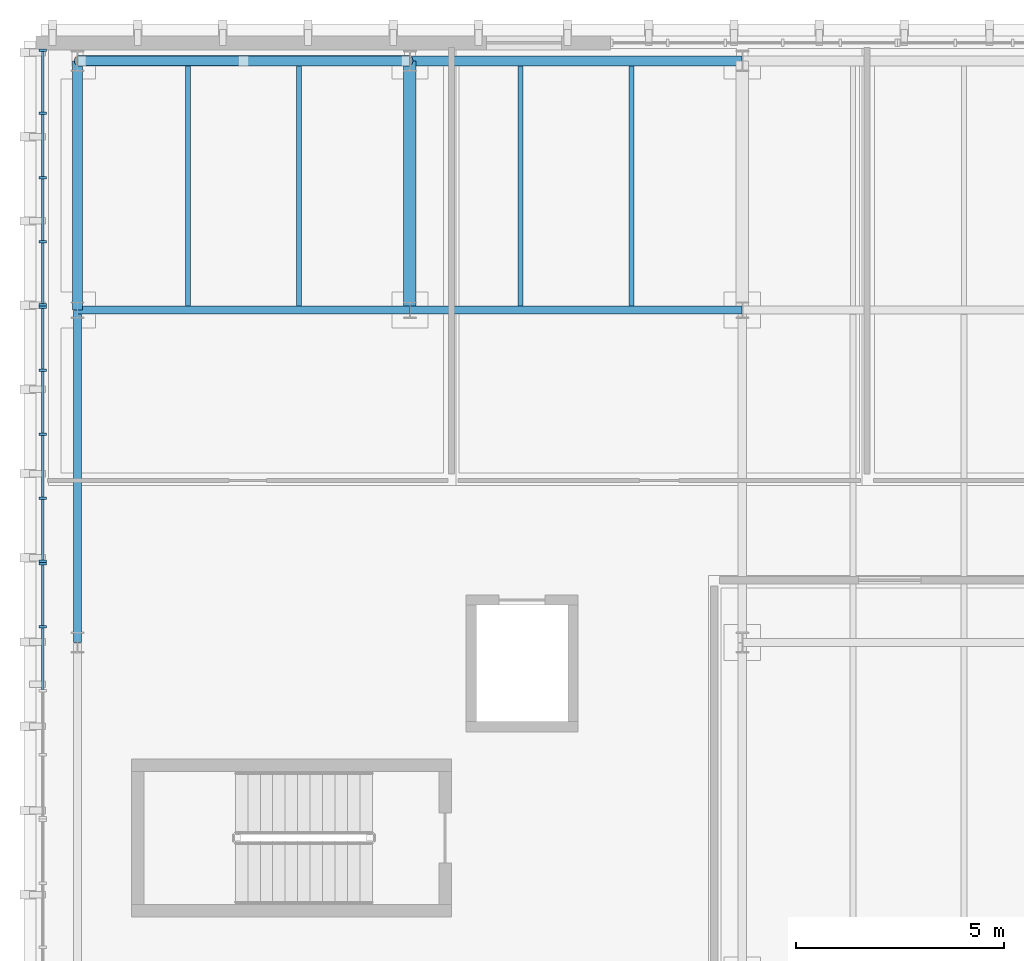
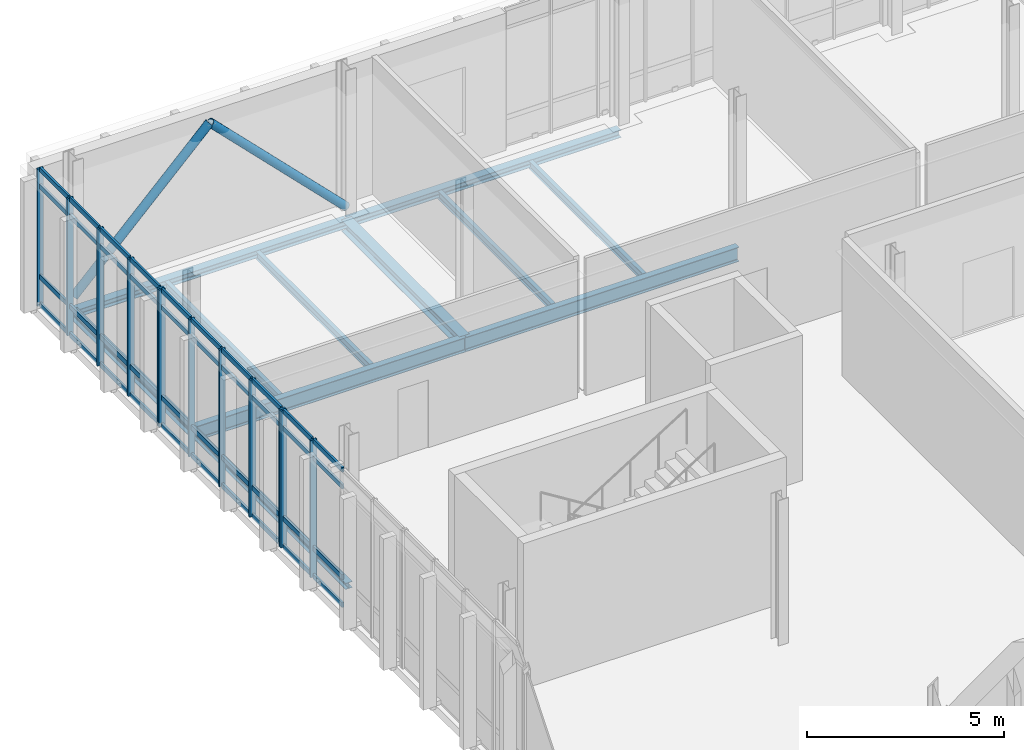
# One storey, part 38 of 100: 54 members, 11 beams, 3 elements without a shape of their own.
"""IFC4 building model written with IfcOpenShell, lengths in metres."""

from ifc_helpers import new_model, si_unit, direction, frame, origin, origin_2d, place, context, subcontext, project, spatial, rectangle, hollow_circle, i_section, extrude, material, material_profile, profile_set, type_object, element, aggregate, save


model = new_model("IFC4")

# Units and contexts
model_context = context("Model", 3, precision=1e-05, world=origin(), true_north=direction((0.0, 1.0)))
body_context = subcontext(model_context, "Body", "Model", "MODEL_VIEW")
ifc_project = project(units=[si_unit("LENGTHUNIT", "METRE"), si_unit("AREAUNIT", "SQUARE_METRE"), si_unit("VOLUMEUNIT", "CUBIC_METRE"), si_unit("PLANEANGLEUNIT", "RADIAN"), si_unit("MASSUNIT", "GRAM", prefix="KILO")], contexts=[model_context])

# Site, building, storey
site_placement = place(None, origin())
site = spatial("IfcSite", under=ifc_project, at=site_placement, CompositionType="ELEMENT")
building_placement = place(site_placement, origin())
building = spatial("IfcBuilding", under=site, at=building_placement, Name="Cymarion Research Institute", CompositionType="ELEMENT")
storey_placement = place(building_placement, frame((0.0, 0.0, 4.800048828125)))
storey = spatial("IfcBuildingStorey", under=building, at=storey_placement, Name="L01", CompositionType="ELEMENT", Elevation=4.800048828125)

# Curtain wall, members
ifc_material_1 = material(Name="Anodised aluminium unitised curtain wall with Low-E glazing", Category="aluminium")
curtain_wall_type = type_object("IfcCurtainWallType", Name="UNITISED CURTAIN WALL CW22 6180X4250", PredefinedType="NOTDEFINED", material=ifc_material_1)
curtain_wall_1_placement = place(storey_placement, origin())
curtain_wall_1 = element("IfcCurtainWall", 1, at=curtain_wall_1_placement, inside=storey, type_object=curtain_wall_type, Name="L01 V5 unitised curtain wall CW22 #51", PredefinedType="NOTDEFINED")
ifc_material_2 = material(Name="Anodised aluminium framing", Category="aluminium")
ifc_material_profile_1 = material_profile(ifc_material_2, rectangle(XDim=0.06005859375, YDim=0.179931640625, at=origin_2d()), Name="ALU MULLION 60x180")
ifc_profile_set_1 = profile_set([ifc_material_profile_1], Name="Anodised aluminium framing")
member_type_1 = type_object("IfcMemberType", Name="CURTAIN WALL MULLION ML01 60X180", PredefinedType="MULLION", material=ifc_profile_set_1)
member_1_placement = place(storey_placement, frame((5.77001953125, 115.748046875, 0.0), z_axis=(0.0, 0.0, 1.0), x_axis=(0.0, -1.0, 0.0)))
member_1 = element("IfcMember", 2, at=member_1_placement, type_object=member_type_1, Name="CW22 mullion 1", PredefinedType="MULLION", context=body_context, shape_type="SweptSolid", body=[
    extrude(rectangle(XDim=0.06005859375, YDim=0.179931640625, at=origin_2d()), origin(), (0.0, 0.0, 1.0), 4.25),
])
member_2_placement = place(storey_placement, frame((5.77001953125, 114.234130859375, 0.0), z_axis=(0.0, 0.0, 1.0), x_axis=(0.0, -1.0, 0.0)))
member_2 = element("IfcMember", 3, at=member_2_placement, type_object=member_type_1, Name="CW22 mullion 2", PredefinedType="MULLION", context=body_context, shape_type="SweptSolid", body=[
    extrude(rectangle(XDim=0.06005859375, YDim=0.179931640625, at=origin_2d()), origin(), (0.0, 0.0, 1.0), 4.25),
])
member_3_placement = place(storey_placement, frame((5.77001953125, 112.690185546875, 0.0), z_axis=(0.0, 0.0, 1.0), x_axis=(0.0, -1.0, 0.0)))
member_3 = element("IfcMember", 4, at=member_3_placement, type_object=member_type_1, Name="CW22 mullion 3", PredefinedType="MULLION", context=body_context, shape_type="SweptSolid", body=[
    extrude(rectangle(XDim=0.06005859375, YDim=0.179931640625, at=origin_2d()), origin(), (0.0, 0.0, 1.0), 4.25),
])
member_4_placement = place(storey_placement, frame((5.77001953125, 111.146240234375, 0.0), z_axis=(0.0, 0.0, 1.0), x_axis=(0.0, -1.0, 0.0)))
member_4 = element("IfcMember", 5, at=member_4_placement, type_object=member_type_1, Name="CW22 mullion 4", PredefinedType="MULLION", context=body_context, shape_type="SweptSolid", body=[
    extrude(rectangle(XDim=0.06005859375, YDim=0.179931640625, at=origin_2d()), origin(), (0.0, 0.0, 1.0), 4.25),
])
member_5_placement = place(storey_placement, frame((5.77001953125, 109.63232421875, 0.0), z_axis=(0.0, 0.0, 1.0), x_axis=(0.0, -1.0, 0.0)))
member_5 = element("IfcMember", 6, at=member_5_placement, type_object=member_type_1, Name="CW22 mullion 5", PredefinedType="MULLION", context=body_context, shape_type="SweptSolid", body=[
    extrude(rectangle(XDim=0.06005859375, YDim=0.179931640625, at=origin_2d()), origin(), (0.0, 0.0, 1.0), 4.25),
])

curtain_wall_2_placement = place(storey_placement, origin())
curtain_wall_2 = element("IfcCurtainWall", 7, at=curtain_wall_2_placement, inside=storey, type_object=curtain_wall_type, Name="L01 V5 unitised curtain wall CW22 #52", PredefinedType="NOTDEFINED")
member_6_placement = place(storey_placement, frame((5.77001953125, 109.572509765625, 0.0), z_axis=(0.0, 0.0, 1.0), x_axis=(0.0, -1.0, 0.0)))
member_6 = element("IfcMember", 8, at=member_6_placement, type_object=member_type_1, Name="CW22 mullion 1", PredefinedType="MULLION", context=body_context, shape_type="SweptSolid", body=[
    extrude(rectangle(XDim=0.06005859375, YDim=0.179931640625, at=origin_2d()), origin(), (0.0, 0.0, 1.0), 4.25),
])
member_7_placement = place(storey_placement, frame((5.77001953125, 108.05859375, 0.0), z_axis=(0.0, 0.0, 1.0), x_axis=(0.0, -1.0, 0.0)))
member_7 = element("IfcMember", 9, at=member_7_placement, type_object=member_type_1, Name="CW22 mullion 2", PredefinedType="MULLION", context=body_context, shape_type="SweptSolid", body=[
    extrude(rectangle(XDim=0.06005859375, YDim=0.179931640625, at=origin_2d()), origin(), (0.0, 0.0, 1.0), 4.25),
])
member_8_placement = place(storey_placement, frame((5.77001953125, 106.5146484375, 0.0), z_axis=(0.0, 0.0, 1.0), x_axis=(0.0, -1.0, 0.0)))
member_8 = element("IfcMember", 10, at=member_8_placement, type_object=member_type_1, Name="CW22 mullion 3", PredefinedType="MULLION", context=body_context, shape_type="SweptSolid", body=[
    extrude(rectangle(XDim=0.06005859375, YDim=0.179931640625, at=origin_2d()), origin(), (0.0, 0.0, 1.0), 4.25),
])
member_9_placement = place(storey_placement, frame((5.77001953125, 104.970703125, 0.0), z_axis=(0.0, 0.0, 1.0), x_axis=(0.0, -1.0, 0.0)))
member_9 = element("IfcMember", 11, at=member_9_placement, type_object=member_type_1, Name="CW22 mullion 4", PredefinedType="MULLION", context=body_context, shape_type="SweptSolid", body=[
    extrude(rectangle(XDim=0.06005859375, YDim=0.179931640625, at=origin_2d()), origin(), (0.0, 0.0, 1.0), 4.25),
])
member_10_placement = place(storey_placement, frame((5.77001953125, 103.456787109375, 0.0), z_axis=(0.0, 0.0, 1.0), x_axis=(0.0, -1.0, 0.0)))
member_10 = element("IfcMember", 12, at=member_10_placement, type_object=member_type_1, Name="CW22 mullion 5", PredefinedType="MULLION", context=body_context, shape_type="SweptSolid", body=[
    extrude(rectangle(XDim=0.06005859375, YDim=0.179931640625, at=origin_2d()), origin(), (0.0, 0.0, 1.0), 4.25),
])

curtain_wall_3_placement = place(storey_placement, origin())
curtain_wall_3 = element("IfcCurtainWall", 13, at=curtain_wall_3_placement, inside=storey, type_object=curtain_wall_type, Name="L01 V5 unitised curtain wall CW22 #53", PredefinedType="NOTDEFINED")
member_11_placement = place(storey_placement, frame((5.77001953125, 103.396728515625, 0.0), z_axis=(0.0, 0.0, 1.0), x_axis=(0.0, -1.0, 0.0)))
member_11 = element("IfcMember", 14, at=member_11_placement, type_object=member_type_1, Name="CW22 mullion 1", PredefinedType="MULLION", context=body_context, shape_type="SweptSolid", body=[
    extrude(rectangle(XDim=0.06005859375, YDim=0.179931640625, at=origin_2d()), origin(), (0.0, 0.0, 1.0), 4.25),
])
member_12_placement = place(storey_placement, frame((5.77001953125, 101.8828125, 0.0), z_axis=(0.0, 0.0, 1.0), x_axis=(0.0, -1.0, 0.0)))
member_12 = element("IfcMember", 15, at=member_12_placement, type_object=member_type_1, Name="CW22 mullion 2", PredefinedType="MULLION", context=body_context, shape_type="SweptSolid", body=[
    extrude(rectangle(XDim=0.06005859375, YDim=0.179931640625, at=origin_2d()), origin(), (0.0, 0.0, 1.0), 4.25),
])

# Member
ifc_material_profile_2 = material_profile(ifc_material_2, rectangle(XDim=0.06005859375, YDim=0.14990234375, at=origin_2d()), Name="ALU TRANSOM 60x150")
ifc_profile_set_2 = profile_set([ifc_material_profile_2], Name="Anodised aluminium framing")
member_type_2 = type_object("IfcMemberType", Name="CURTAIN WALL TRANSOM TR01 60X150", PredefinedType="USERDEFINED", material=ifc_profile_set_2)
member_13_placement = place(storey_placement, frame((5.77001953125, 115.718017578125, 0.030029296875), z_axis=(0.0, -1.0, 0.0), x_axis=(1.0, 0.0, 0.0)))
member_13 = element("IfcMember", 16, at=member_13_placement, type_object=member_type_2, Name="CW22 transom 1.1", ObjectType="TRANSOM", PredefinedType="USERDEFINED", context=body_context, shape_type="SweptSolid", body=[
    extrude(rectangle(XDim=0.06005859375, YDim=0.14990234375, at=origin_2d()), origin(), (0.0, 0.0, 1.0), 1.453857421875),
])

member_14_placement = place(storey_placement, frame((5.77001953125, 115.718017578125, 0.89990234375), z_axis=(0.0, -1.0, 0.0), x_axis=(1.0, 0.0, 0.0)))
member_14 = element("IfcMember", 17, at=member_14_placement, type_object=member_type_2, Name="CW22 transom 1.2", ObjectType="TRANSOM", PredefinedType="USERDEFINED", context=body_context, shape_type="SweptSolid", body=[
    extrude(rectangle(XDim=0.06005859375, YDim=0.14990234375, at=origin_2d()), origin(), (0.0, 0.0, 1.0), 1.453857421875),
])

member_15_placement = place(storey_placement, frame((5.77001953125, 115.718017578125, 3.699951171875), z_axis=(0.0, -1.0, 0.0), x_axis=(1.0, 0.0, 0.0)))
member_15 = element("IfcMember", 18, at=member_15_placement, type_object=member_type_2, Name="CW22 transom 1.3", ObjectType="TRANSOM", PredefinedType="USERDEFINED", context=body_context, shape_type="SweptSolid", body=[
    extrude(rectangle(XDim=0.06005859375, YDim=0.14990234375, at=origin_2d()), origin(), (0.0, 0.0, 1.0), 1.453857421875),
])

member_16_placement = place(storey_placement, frame((5.77001953125, 115.718017578125, 4.219970703125), z_axis=(0.0, -1.0, 0.0), x_axis=(1.0, 0.0, 0.0)))
member_16 = element("IfcMember", 19, at=member_16_placement, type_object=member_type_2, Name="CW22 transom 1.4", ObjectType="TRANSOM", PredefinedType="USERDEFINED", context=body_context, shape_type="SweptSolid", body=[
    extrude(rectangle(XDim=0.06005859375, YDim=0.14990234375, at=origin_2d()), origin(), (0.0, 0.0, 1.0), 1.453857421875),
])

member_17_placement = place(storey_placement, frame((5.77001953125, 114.2041015625, 0.030029296875), z_axis=(0.0, -1.0, 0.0), x_axis=(1.0, 0.0, 0.0)))
member_17 = element("IfcMember", 20, at=member_17_placement, type_object=member_type_2, Name="CW22 transom 2.1", ObjectType="TRANSOM", PredefinedType="USERDEFINED", context=body_context, shape_type="SweptSolid", body=[
    extrude(rectangle(XDim=0.06005859375, YDim=0.14990234375, at=origin_2d()), origin(), (0.0, 0.0, 1.0), 1.48388671875),
])

member_18_placement = place(storey_placement, frame((5.77001953125, 114.2041015625, 0.89990234375), z_axis=(0.0, -1.0, 0.0), x_axis=(1.0, 0.0, 0.0)))
member_18 = element("IfcMember", 21, at=member_18_placement, type_object=member_type_2, Name="CW22 transom 2.2", ObjectType="TRANSOM", PredefinedType="USERDEFINED", context=body_context, shape_type="SweptSolid", body=[
    extrude(rectangle(XDim=0.06005859375, YDim=0.14990234375, at=origin_2d()), origin(), (0.0, 0.0, 1.0), 1.48388671875),
])

member_19_placement = place(storey_placement, frame((5.77001953125, 114.2041015625, 3.699951171875), z_axis=(0.0, -1.0, 0.0), x_axis=(1.0, 0.0, 0.0)))
member_19 = element("IfcMember", 22, at=member_19_placement, type_object=member_type_2, Name="CW22 transom 2.3", ObjectType="TRANSOM", PredefinedType="USERDEFINED", context=body_context, shape_type="SweptSolid", body=[
    extrude(rectangle(XDim=0.06005859375, YDim=0.14990234375, at=origin_2d()), origin(), (0.0, 0.0, 1.0), 1.48388671875),
])

member_20_placement = place(storey_placement, frame((5.77001953125, 114.2041015625, 4.219970703125), z_axis=(0.0, -1.0, 0.0), x_axis=(1.0, 0.0, 0.0)))
member_20 = element("IfcMember", 23, at=member_20_placement, type_object=member_type_2, Name="CW22 transom 2.4", ObjectType="TRANSOM", PredefinedType="USERDEFINED", context=body_context, shape_type="SweptSolid", body=[
    extrude(rectangle(XDim=0.06005859375, YDim=0.14990234375, at=origin_2d()), origin(), (0.0, 0.0, 1.0), 1.48388671875),
])

member_21_placement = place(storey_placement, frame((5.77001953125, 112.66015625, 0.030029296875), z_axis=(0.0, -1.0, 0.0), x_axis=(1.0, 0.0, 0.0)))
member_21 = element("IfcMember", 24, at=member_21_placement, type_object=member_type_2, Name="CW22 transom 3.1", ObjectType="TRANSOM", PredefinedType="USERDEFINED", context=body_context, shape_type="SweptSolid", body=[
    extrude(rectangle(XDim=0.06005859375, YDim=0.14990234375, at=origin_2d()), origin(), (0.0, 0.0, 1.0), 1.48388671875),
])

member_22_placement = place(storey_placement, frame((5.77001953125, 112.66015625, 0.89990234375), z_axis=(0.0, -1.0, 0.0), x_axis=(1.0, 0.0, 0.0)))
member_22 = element("IfcMember", 25, at=member_22_placement, type_object=member_type_2, Name="CW22 transom 3.2", ObjectType="TRANSOM", PredefinedType="USERDEFINED", context=body_context, shape_type="SweptSolid", body=[
    extrude(rectangle(XDim=0.06005859375, YDim=0.14990234375, at=origin_2d()), origin(), (0.0, 0.0, 1.0), 1.48388671875),
])

member_23_placement = place(storey_placement, frame((5.77001953125, 112.66015625, 3.699951171875), z_axis=(0.0, -1.0, 0.0), x_axis=(1.0, 0.0, 0.0)))
member_23 = element("IfcMember", 26, at=member_23_placement, type_object=member_type_2, Name="CW22 transom 3.3", ObjectType="TRANSOM", PredefinedType="USERDEFINED", context=body_context, shape_type="SweptSolid", body=[
    extrude(rectangle(XDim=0.06005859375, YDim=0.14990234375, at=origin_2d()), origin(), (0.0, 0.0, 1.0), 1.48388671875),
])

member_24_placement = place(storey_placement, frame((5.77001953125, 112.66015625, 4.219970703125), z_axis=(0.0, -1.0, 0.0), x_axis=(1.0, 0.0, 0.0)))
member_24 = element("IfcMember", 27, at=member_24_placement, type_object=member_type_2, Name="CW22 transom 3.4", ObjectType="TRANSOM", PredefinedType="USERDEFINED", context=body_context, shape_type="SweptSolid", body=[
    extrude(rectangle(XDim=0.06005859375, YDim=0.14990234375, at=origin_2d()), origin(), (0.0, 0.0, 1.0), 1.48388671875),
])

member_25_placement = place(storey_placement, frame((5.77001953125, 111.1162109375, 0.030029296875), z_axis=(0.0, -1.0, 0.0), x_axis=(1.0, 0.0, 0.0)))
member_25 = element("IfcMember", 28, at=member_25_placement, type_object=member_type_2, Name="CW22 transom 4.1", ObjectType="TRANSOM", PredefinedType="USERDEFINED", context=body_context, shape_type="SweptSolid", body=[
    extrude(rectangle(XDim=0.06005859375, YDim=0.14990234375, at=origin_2d()), origin(), (0.0, 0.0, 1.0), 1.453857421875),
])

member_26_placement = place(storey_placement, frame((5.77001953125, 111.1162109375, 0.89990234375), z_axis=(0.0, -1.0, 0.0), x_axis=(1.0, 0.0, 0.0)))
member_26 = element("IfcMember", 29, at=member_26_placement, type_object=member_type_2, Name="CW22 transom 4.2", ObjectType="TRANSOM", PredefinedType="USERDEFINED", context=body_context, shape_type="SweptSolid", body=[
    extrude(rectangle(XDim=0.06005859375, YDim=0.14990234375, at=origin_2d()), origin(), (0.0, 0.0, 1.0), 1.453857421875),
])

member_27_placement = place(storey_placement, frame((5.77001953125, 111.1162109375, 3.699951171875), z_axis=(0.0, -1.0, 0.0), x_axis=(1.0, 0.0, 0.0)))
member_27 = element("IfcMember", 30, at=member_27_placement, type_object=member_type_2, Name="CW22 transom 4.3", ObjectType="TRANSOM", PredefinedType="USERDEFINED", context=body_context, shape_type="SweptSolid", body=[
    extrude(rectangle(XDim=0.06005859375, YDim=0.14990234375, at=origin_2d()), origin(), (0.0, 0.0, 1.0), 1.453857421875),
])

member_28_placement = place(storey_placement, frame((5.77001953125, 111.1162109375, 4.219970703125), z_axis=(0.0, -1.0, 0.0), x_axis=(1.0, 0.0, 0.0)))
member_28 = element("IfcMember", 31, at=member_28_placement, type_object=member_type_2, Name="CW22 transom 4.4", ObjectType="TRANSOM", PredefinedType="USERDEFINED", context=body_context, shape_type="SweptSolid", body=[
    extrude(rectangle(XDim=0.06005859375, YDim=0.14990234375, at=origin_2d()), origin(), (0.0, 0.0, 1.0), 1.453857421875),
])

aggregate(curtain_wall_1, [member_1, member_2, member_3, member_4, member_5, member_13, member_14, member_15, member_16, member_17, member_18, member_19, member_20, member_21, member_22, member_23, member_24, member_25, member_26, member_27, member_28])

member_29_placement = place(storey_placement, frame((5.77001953125, 109.54248046875, 0.030029296875), z_axis=(0.0, -1.0, 0.0), x_axis=(1.0, 0.0, 0.0)))
member_29 = element("IfcMember", 32, at=member_29_placement, type_object=member_type_2, Name="CW22 transom 1.1", ObjectType="TRANSOM", PredefinedType="USERDEFINED", context=body_context, shape_type="SweptSolid", body=[
    extrude(rectangle(XDim=0.06005859375, YDim=0.14990234375, at=origin_2d()), origin(), (0.0, 0.0, 1.0), 1.4541015625),
])

member_30_placement = place(storey_placement, frame((5.77001953125, 109.54248046875, 0.89990234375), z_axis=(0.0, -1.0, 0.0), x_axis=(1.0, 0.0, 0.0)))
member_30 = element("IfcMember", 33, at=member_30_placement, type_object=member_type_2, Name="CW22 transom 1.2", ObjectType="TRANSOM", PredefinedType="USERDEFINED", context=body_context, shape_type="SweptSolid", body=[
    extrude(rectangle(XDim=0.06005859375, YDim=0.14990234375, at=origin_2d()), origin(), (0.0, 0.0, 1.0), 1.4541015625),
])

member_31_placement = place(storey_placement, frame((5.77001953125, 109.54248046875, 3.699951171875), z_axis=(0.0, -1.0, 0.0), x_axis=(1.0, 0.0, 0.0)))
member_31 = element("IfcMember", 34, at=member_31_placement, type_object=member_type_2, Name="CW22 transom 1.3", ObjectType="TRANSOM", PredefinedType="USERDEFINED", context=body_context, shape_type="SweptSolid", body=[
    extrude(rectangle(XDim=0.06005859375, YDim=0.14990234375, at=origin_2d()), origin(), (0.0, 0.0, 1.0), 1.4541015625),
])

member_32_placement = place(storey_placement, frame((5.77001953125, 109.54248046875, 4.219970703125), z_axis=(0.0, -1.0, 0.0), x_axis=(1.0, 0.0, 0.0)))
member_32 = element("IfcMember", 35, at=member_32_placement, type_object=member_type_2, Name="CW22 transom 1.4", ObjectType="TRANSOM", PredefinedType="USERDEFINED", context=body_context, shape_type="SweptSolid", body=[
    extrude(rectangle(XDim=0.06005859375, YDim=0.14990234375, at=origin_2d()), origin(), (0.0, 0.0, 1.0), 1.4541015625),
])

member_33_placement = place(storey_placement, frame((5.77001953125, 108.028564453125, 0.030029296875), z_axis=(0.0, -1.0, 0.0), x_axis=(1.0, 0.0, 0.0)))
member_33 = element("IfcMember", 36, at=member_33_placement, type_object=member_type_2, Name="CW22 transom 2.1", ObjectType="TRANSOM", PredefinedType="USERDEFINED", context=body_context, shape_type="SweptSolid", body=[
    extrude(rectangle(XDim=0.06005859375, YDim=0.14990234375, at=origin_2d()), origin(), (0.0, 0.0, 1.0), 1.48388671875),
])

member_34_placement = place(storey_placement, frame((5.77001953125, 108.028564453125, 0.89990234375), z_axis=(0.0, -1.0, 0.0), x_axis=(1.0, 0.0, 0.0)))
member_34 = element("IfcMember", 37, at=member_34_placement, type_object=member_type_2, Name="CW22 transom 2.2", ObjectType="TRANSOM", PredefinedType="USERDEFINED", context=body_context, shape_type="SweptSolid", body=[
    extrude(rectangle(XDim=0.06005859375, YDim=0.14990234375, at=origin_2d()), origin(), (0.0, 0.0, 1.0), 1.48388671875),
])

member_35_placement = place(storey_placement, frame((5.77001953125, 108.028564453125, 3.699951171875), z_axis=(0.0, -1.0, 0.0), x_axis=(1.0, 0.0, 0.0)))
member_35 = element("IfcMember", 38, at=member_35_placement, type_object=member_type_2, Name="CW22 transom 2.3", ObjectType="TRANSOM", PredefinedType="USERDEFINED", context=body_context, shape_type="SweptSolid", body=[
    extrude(rectangle(XDim=0.06005859375, YDim=0.14990234375, at=origin_2d()), origin(), (0.0, 0.0, 1.0), 1.48388671875),
])

member_36_placement = place(storey_placement, frame((5.77001953125, 108.028564453125, 4.219970703125), z_axis=(0.0, -1.0, 0.0), x_axis=(1.0, 0.0, 0.0)))
member_36 = element("IfcMember", 39, at=member_36_placement, type_object=member_type_2, Name="CW22 transom 2.4", ObjectType="TRANSOM", PredefinedType="USERDEFINED", context=body_context, shape_type="SweptSolid", body=[
    extrude(rectangle(XDim=0.06005859375, YDim=0.14990234375, at=origin_2d()), origin(), (0.0, 0.0, 1.0), 1.48388671875),
])

member_37_placement = place(storey_placement, frame((5.77001953125, 106.484619140625, 0.030029296875), z_axis=(0.0, -1.0, 0.0), x_axis=(1.0, 0.0, 0.0)))
member_37 = element("IfcMember", 40, at=member_37_placement, type_object=member_type_2, Name="CW22 transom 3.1", ObjectType="TRANSOM", PredefinedType="USERDEFINED", context=body_context, shape_type="SweptSolid", body=[
    extrude(rectangle(XDim=0.06005859375, YDim=0.14990234375, at=origin_2d()), origin(), (0.0, 0.0, 1.0), 1.48388671875),
])

member_38_placement = place(storey_placement, frame((5.77001953125, 106.484619140625, 0.89990234375), z_axis=(0.0, -1.0, 0.0), x_axis=(1.0, 0.0, 0.0)))
member_38 = element("IfcMember", 41, at=member_38_placement, type_object=member_type_2, Name="CW22 transom 3.2", ObjectType="TRANSOM", PredefinedType="USERDEFINED", context=body_context, shape_type="SweptSolid", body=[
    extrude(rectangle(XDim=0.06005859375, YDim=0.14990234375, at=origin_2d()), origin(), (0.0, 0.0, 1.0), 1.48388671875),
])

member_39_placement = place(storey_placement, frame((5.77001953125, 106.484619140625, 3.699951171875), z_axis=(0.0, -1.0, 0.0), x_axis=(1.0, 0.0, 0.0)))
member_39 = element("IfcMember", 42, at=member_39_placement, type_object=member_type_2, Name="CW22 transom 3.3", ObjectType="TRANSOM", PredefinedType="USERDEFINED", context=body_context, shape_type="SweptSolid", body=[
    extrude(rectangle(XDim=0.06005859375, YDim=0.14990234375, at=origin_2d()), origin(), (0.0, 0.0, 1.0), 1.48388671875),
])

member_40_placement = place(storey_placement, frame((5.77001953125, 106.484619140625, 4.219970703125), z_axis=(0.0, -1.0, 0.0), x_axis=(1.0, 0.0, 0.0)))
member_40 = element("IfcMember", 43, at=member_40_placement, type_object=member_type_2, Name="CW22 transom 3.4", ObjectType="TRANSOM", PredefinedType="USERDEFINED", context=body_context, shape_type="SweptSolid", body=[
    extrude(rectangle(XDim=0.06005859375, YDim=0.14990234375, at=origin_2d()), origin(), (0.0, 0.0, 1.0), 1.48388671875),
])

member_41_placement = place(storey_placement, frame((5.77001953125, 104.940673828125, 0.030029296875), z_axis=(0.0, -1.0, 0.0), x_axis=(1.0, 0.0, 0.0)))
member_41 = element("IfcMember", 44, at=member_41_placement, type_object=member_type_2, Name="CW22 transom 4.1", ObjectType="TRANSOM", PredefinedType="USERDEFINED", context=body_context, shape_type="SweptSolid", body=[
    extrude(rectangle(XDim=0.06005859375, YDim=0.14990234375, at=origin_2d()), origin(), (0.0, 0.0, 1.0), 1.453857421875),
])

member_42_placement = place(storey_placement, frame((5.77001953125, 104.940673828125, 0.89990234375), z_axis=(0.0, -1.0, 0.0), x_axis=(1.0, 0.0, 0.0)))
member_42 = element("IfcMember", 45, at=member_42_placement, type_object=member_type_2, Name="CW22 transom 4.2", ObjectType="TRANSOM", PredefinedType="USERDEFINED", context=body_context, shape_type="SweptSolid", body=[
    extrude(rectangle(XDim=0.06005859375, YDim=0.14990234375, at=origin_2d()), origin(), (0.0, 0.0, 1.0), 1.453857421875),
])

member_43_placement = place(storey_placement, frame((5.77001953125, 104.940673828125, 3.699951171875), z_axis=(0.0, -1.0, 0.0), x_axis=(1.0, 0.0, 0.0)))
member_43 = element("IfcMember", 46, at=member_43_placement, type_object=member_type_2, Name="CW22 transom 4.3", ObjectType="TRANSOM", PredefinedType="USERDEFINED", context=body_context, shape_type="SweptSolid", body=[
    extrude(rectangle(XDim=0.06005859375, YDim=0.14990234375, at=origin_2d()), origin(), (0.0, 0.0, 1.0), 1.453857421875),
])

member_44_placement = place(storey_placement, frame((5.77001953125, 104.940673828125, 4.219970703125), z_axis=(0.0, -1.0, 0.0), x_axis=(1.0, 0.0, 0.0)))
member_44 = element("IfcMember", 47, at=member_44_placement, type_object=member_type_2, Name="CW22 transom 4.4", ObjectType="TRANSOM", PredefinedType="USERDEFINED", context=body_context, shape_type="SweptSolid", body=[
    extrude(rectangle(XDim=0.06005859375, YDim=0.14990234375, at=origin_2d()), origin(), (0.0, 0.0, 1.0), 1.453857421875),
])

aggregate(curtain_wall_2, [member_6, member_7, member_8, member_9, member_10, member_29, member_30, member_31, member_32, member_33, member_34, member_35, member_36, member_37, member_38, member_39, member_40, member_41, member_42, member_43, member_44])

member_45_placement = place(storey_placement, frame((5.77001953125, 103.36669921875, 0.030029296875), z_axis=(0.0, -1.0, 0.0), x_axis=(1.0, 0.0, 0.0)))
member_45 = element("IfcMember", 48, at=member_45_placement, type_object=member_type_2, Name="CW22 transom 1.1", ObjectType="TRANSOM", PredefinedType="USERDEFINED", context=body_context, shape_type="SweptSolid", body=[
    extrude(rectangle(XDim=0.06005859375, YDim=0.14990234375, at=origin_2d()), origin(), (0.0, 0.0, 1.0), 1.453857421875),
])

member_46_placement = place(storey_placement, frame((5.77001953125, 103.36669921875, 0.89990234375), z_axis=(0.0, -1.0, 0.0), x_axis=(1.0, 0.0, 0.0)))
member_46 = element("IfcMember", 49, at=member_46_placement, type_object=member_type_2, Name="CW22 transom 1.2", ObjectType="TRANSOM", PredefinedType="USERDEFINED", context=body_context, shape_type="SweptSolid", body=[
    extrude(rectangle(XDim=0.06005859375, YDim=0.14990234375, at=origin_2d()), origin(), (0.0, 0.0, 1.0), 1.453857421875),
])

member_47_placement = place(storey_placement, frame((5.77001953125, 103.36669921875, 3.699951171875), z_axis=(0.0, -1.0, 0.0), x_axis=(1.0, 0.0, 0.0)))
member_47 = element("IfcMember", 50, at=member_47_placement, type_object=member_type_2, Name="CW22 transom 1.3", ObjectType="TRANSOM", PredefinedType="USERDEFINED", context=body_context, shape_type="SweptSolid", body=[
    extrude(rectangle(XDim=0.06005859375, YDim=0.14990234375, at=origin_2d()), origin(), (0.0, 0.0, 1.0), 1.453857421875),
])

member_48_placement = place(storey_placement, frame((5.77001953125, 103.36669921875, 4.219970703125), z_axis=(0.0, -1.0, 0.0), x_axis=(1.0, 0.0, 0.0)))
member_48 = element("IfcMember", 51, at=member_48_placement, type_object=member_type_2, Name="CW22 transom 1.4", ObjectType="TRANSOM", PredefinedType="USERDEFINED", context=body_context, shape_type="SweptSolid", body=[
    extrude(rectangle(XDim=0.06005859375, YDim=0.14990234375, at=origin_2d()), origin(), (0.0, 0.0, 1.0), 1.453857421875),
])

member_49_placement = place(storey_placement, frame((5.77001953125, 101.852783203125, 0.030029296875), z_axis=(0.0, -1.0, 0.0), x_axis=(1.0, 0.0, 0.0)))
member_49 = element("IfcMember", 52, at=member_49_placement, type_object=member_type_2, Name="CW22 transom 2.1", ObjectType="TRANSOM", PredefinedType="USERDEFINED", context=body_context, shape_type="SweptSolid", body=[
    extrude(rectangle(XDim=0.06005859375, YDim=0.14990234375, at=origin_2d()), origin(), (0.0, 0.0, 1.0), 1.48388671875),
])

member_50_placement = place(storey_placement, frame((5.77001953125, 101.852783203125, 0.89990234375), z_axis=(0.0, -1.0, 0.0), x_axis=(1.0, 0.0, 0.0)))
member_50 = element("IfcMember", 53, at=member_50_placement, type_object=member_type_2, Name="CW22 transom 2.2", ObjectType="TRANSOM", PredefinedType="USERDEFINED", context=body_context, shape_type="SweptSolid", body=[
    extrude(rectangle(XDim=0.06005859375, YDim=0.14990234375, at=origin_2d()), origin(), (0.0, 0.0, 1.0), 1.48388671875),
])

member_51_placement = place(storey_placement, frame((5.77001953125, 101.852783203125, 3.699951171875), z_axis=(0.0, -1.0, 0.0), x_axis=(1.0, 0.0, 0.0)))
member_51 = element("IfcMember", 54, at=member_51_placement, type_object=member_type_2, Name="CW22 transom 2.3", ObjectType="TRANSOM", PredefinedType="USERDEFINED", context=body_context, shape_type="SweptSolid", body=[
    extrude(rectangle(XDim=0.06005859375, YDim=0.14990234375, at=origin_2d()), origin(), (0.0, 0.0, 1.0), 1.48388671875),
])

member_52_placement = place(storey_placement, frame((5.77001953125, 101.852783203125, 4.219970703125), z_axis=(0.0, -1.0, 0.0), x_axis=(1.0, 0.0, 0.0)))
member_52 = element("IfcMember", 55, at=member_52_placement, type_object=member_type_2, Name="CW22 transom 2.4", ObjectType="TRANSOM", PredefinedType="USERDEFINED", context=body_context, shape_type="SweptSolid", body=[
    extrude(rectangle(XDim=0.06005859375, YDim=0.14990234375, at=origin_2d()), origin(), (0.0, 0.0, 1.0), 1.48388671875),
])

aggregate(curtain_wall_3, [member_11, member_12, member_45, member_46, member_47, member_48, member_49, member_50, member_51, member_52])

# Beams
ifc_material_3 = material(Name="Steel S355", Category="steel")
ifc_material_profile_3 = material_profile(ifc_material_3, i_section(OverallWidth=0.18994140625, OverallDepth=0.449951171875, WebThickness=0.009521484375, FlangeThickness=0.0146484375, FilletRadius=0.02099609375, at=origin_2d()), Name="IPE 450")
ifc_profile_set_3 = profile_set([ifc_material_profile_3], Name="Steel S355")
beam_type_1 = type_object("IfcBeamType", Name="PRIMARY GIRDER BM04 IPE 450", PredefinedType="BEAM", material=ifc_profile_set_3)
for number, where, z_axis, x_axis, name in (
    (56, (6.60595703125, 109.5, -0.47509765625), (1.0, 0.0, 0.0), (0.0, 1.0, 0.0), "L01 V5 girder BM04 #705"),
    (57, (14.60595703125, 109.5, -0.47509765625), (1.0, 0.0, 0.0), (0.0, 1.0, 0.0), "L01 V5 girder BM04 #706"),
):
    element("IfcBeam", number, at=place(storey_placement, frame(where, z_axis=z_axis, x_axis=x_axis)), inside=storey, type_object=beam_type_1, Name=name, PredefinedType="BEAM", context=body_context, shape_type="SweptSolid", body=[
        extrude(i_section(OverallWidth=0.18994140625, OverallDepth=0.449951171875, WebThickness=0.009521484375, FlangeThickness=0.0146484375, FilletRadius=0.02099609375, at=origin_2d()), origin(), (0.0, 0.0, 1.0), 7.988037109375),
    ])
ifc_material_profile_4 = material_profile(ifc_material_3, i_section(OverallWidth=0.300048828125, OverallDepth=0.35009765625, WebThickness=0.010009765625, FlangeThickness=0.017578125, FilletRadius=0.027099609375, at=origin_2d()), Name="HEA 360")
ifc_profile_set_4 = profile_set([ifc_material_profile_4], Name="Steel S355")
beam_type_2 = type_object("IfcBeamType", Name="PRIMARY GIRDER BM12 HEA 360", PredefinedType="BEAM", material=ifc_profile_set_4)
beam_1_placement = place(storey_placement, frame((14.60009765625, 109.506103515625, -0.425048828125), z_axis=(0.0, 1.0, 0.0), x_axis=(-1.0, 0.0, 0.0)))
element("IfcBeam", 58, at=beam_1_placement, inside=storey, type_object=beam_type_2, Name="L01 V5 girder BM12 #720", PredefinedType="BEAM", context=body_context, shape_type="SweptSolid", body=[
    extrude(i_section(OverallWidth=0.300048828125, OverallDepth=0.35009765625, WebThickness=0.010009765625, FlangeThickness=0.017578125, FilletRadius=0.027099609375, at=origin_2d()), origin(), (0.0, 0.0, 1.0), 5.98779296875),
])
ifc_material_profile_5 = material_profile(ifc_material_3, i_section(OverallWidth=0.1201171875, OverallDepth=0.239990234375, WebThickness=0.006103515625, FlangeThickness=0.009765625, FilletRadius=0.014892578125, at=origin_2d()), Name="IPE 240")
ifc_profile_set_5 = profile_set([ifc_material_profile_5], Name="Steel S355")
beam_type_3 = type_object("IfcBeamType", Name="SECONDARY JOIST JS04 IPE 240", PredefinedType="JOIST", material=ifc_profile_set_5)
for number, where, z_axis, x_axis, name in (
    (59, (9.2666015625, 109.59912109375, -0.3701171875), (0.0, 1.0, 0.0), (-1.0, 0.0, 0.0), "L01 V5 secondary joist JS04 #753"),
    (60, (11.933349609375, 109.59912109375, -0.3701171875), (0.0, 1.0, 0.0), (-1.0, 0.0, 0.0), "L01 V5 secondary joist JS04 #754"),
    (61, (17.2666015625, 109.59912109375, -0.3701171875), (0.0, 1.0, 0.0), (-1.0, 0.0, 0.0), "L01 V5 secondary joist JS04 #755"),
    (62, (19.933349609375, 109.59912109375, -0.3701171875), (0.0, 1.0, 0.0), (-1.0, 0.0, 0.0), "L01 V5 secondary joist JS04 #756"),
):
    element("IfcBeam", number, at=place(storey_placement, frame(where, z_axis=z_axis, x_axis=x_axis)), inside=storey, type_object=beam_type_3, Name=name, PredefinedType="JOIST", context=body_context, shape_type="SweptSolid", body=[
        extrude(i_section(OverallWidth=0.1201171875, OverallDepth=0.239990234375, WebThickness=0.006103515625, FlangeThickness=0.009765625, FilletRadius=0.014892578125, at=origin_2d()), origin(), (0.0, 0.0, 1.0), 5.77685546875),
    ])
ifc_material_profile_6 = material_profile(ifc_material_3, i_section(OverallWidth=0.239990234375, OverallDepth=0.22998046875, WebThickness=0.007568359375, FlangeThickness=0.011962890625, FilletRadius=0.02099609375, at=origin_2d()), Name="HEA 240")
ifc_profile_set_6 = profile_set([ifc_material_profile_6], Name="Steel S355")
beam_type_4 = type_object("IfcBeamType", Name="SPANDREL BEAM SPB03 HEA 240", PredefinedType="SPANDREL", material=ifc_profile_set_6)
for number, where, z_axis, x_axis, name in (
    (63, (6.60595703125, 115.5, -0.364990234375), (1.0, 0.0, 0.0), (0.0, 1.0, 0.0), "L01 V5 girder SPB03 #710"),
    (64, (14.60595703125, 115.5, -0.364990234375), (1.0, 0.0, 0.0), (0.0, 1.0, 0.0), "L01 V5 girder SPB03 #711"),
):
    element("IfcBeam", number, at=place(storey_placement, frame(where, z_axis=z_axis, x_axis=x_axis)), inside=storey, type_object=beam_type_4, Name=name, PredefinedType="SPANDREL", context=body_context, shape_type="SweptSolid", body=[
        extrude(i_section(OverallWidth=0.239990234375, OverallDepth=0.22998046875, WebThickness=0.007568359375, FlangeThickness=0.011962890625, FilletRadius=0.02099609375, at=origin_2d()), origin(), (0.0, 0.0, 1.0), 7.988037109375),
    ])
beam_2_placement = place(storey_placement, frame((6.60009765625, 109.506103515625, -0.364990234375), z_axis=(0.0, 1.0, 0.0), x_axis=(-1.0, 0.0, 0.0)))
element("IfcBeam", 65, at=beam_2_placement, inside=storey, type_object=beam_type_4, Name="L01 V5 girder SPB03 #718", PredefinedType="SPANDREL", context=body_context, shape_type="SweptSolid", body=[
    extrude(i_section(OverallWidth=0.239990234375, OverallDepth=0.22998046875, WebThickness=0.007568359375, FlangeThickness=0.011962890625, FilletRadius=0.02099609375, at=origin_2d()), origin(), (0.0, 0.0, 1.0), 5.98779296875),
])
ifc_material_profile_7 = material_profile(ifc_material_3, i_section(OverallWidth=0.199951171875, OverallDepth=0.18994140625, WebThickness=0.006591796875, FlangeThickness=0.010009765625, FilletRadius=0.01806640625, at=origin_2d()), Name="HEA 200")
ifc_profile_set_7 = profile_set([ifc_material_profile_7], Name="Steel S355")
beam_type_5 = type_object("IfcBeamType", Name="SPANDREL BEAM SPB04 HEA 200", PredefinedType="SPANDREL", material=ifc_profile_set_7)
beam_3_placement = place(storey_placement, frame((6.60009765625, 101.506103515625, -0.344970703125), z_axis=(0.0, 1.0, 0.0), x_axis=(-1.0, 0.0, 0.0)))
element("IfcBeam", 66, at=beam_3_placement, inside=storey, type_object=beam_type_5, Name="L01 V5 girder SPB04 #717", PredefinedType="SPANDREL", context=body_context, shape_type="SweptSolid", body=[
    extrude(i_section(OverallWidth=0.199951171875, OverallDepth=0.18994140625, WebThickness=0.006591796875, FlangeThickness=0.010009765625, FilletRadius=0.01806640625, at=origin_2d()), origin(), (0.0, 0.0, 1.0), 7.98779296875),
])

# Members
ifc_material_profile_8 = material_profile(ifc_material_3, hollow_circle(Radius=0.122314453125, WallThickness=0.012451171875, at=origin_2d()), Name="CHS 244.5x12.5")
ifc_profile_set_8 = profile_set([ifc_material_profile_8], Name="Steel S355")
member_type_3 = type_object("IfcMemberType", Name="STRUCTURAL MEMBER BR03 CHS 244.5x12.5", PredefinedType="BRACE", material=ifc_profile_set_8)
member_53_placement = place(storey_placement, frame((6.6142578125, 115.5, 0.119873046875), z_axis=(0.70610954467, 0.0, 0.708102613275), x_axis=(0.0, 1.0, 0.0)))
element("IfcMember", 67, at=member_53_placement, inside=storey, type_object=member_type_3, Name="L01 V5 seismic chevron brace BR03 #1", PredefinedType="BRACE", context=body_context, shape_type="SweptSolid", body=[
    extrude(hollow_circle(Radius=0.122314453125, WallThickness=0.012451171875, at=origin_2d()), origin(), (0.0, 0.0, 1.0), 5.634765625),
])
member_54_placement = place(storey_placement, frame((14.585693359375, 115.5, 0.119873046875), z_axis=(-0.706087818821, 0.0, 0.708124277307), x_axis=(0.0, -1.0, 0.0)))
element("IfcMember", 68, at=member_54_placement, inside=storey, type_object=member_type_3, Name="L01 V5 seismic chevron brace BR03 #2", PredefinedType="BRACE", context=body_context, shape_type="SweptSolid", body=[
    extrude(hollow_circle(Radius=0.122314453125, WallThickness=0.012451171875, at=origin_2d()), origin(), (0.0, 0.0, 1.0), 5.634521484375),
])

save(model, "model.ifc")
